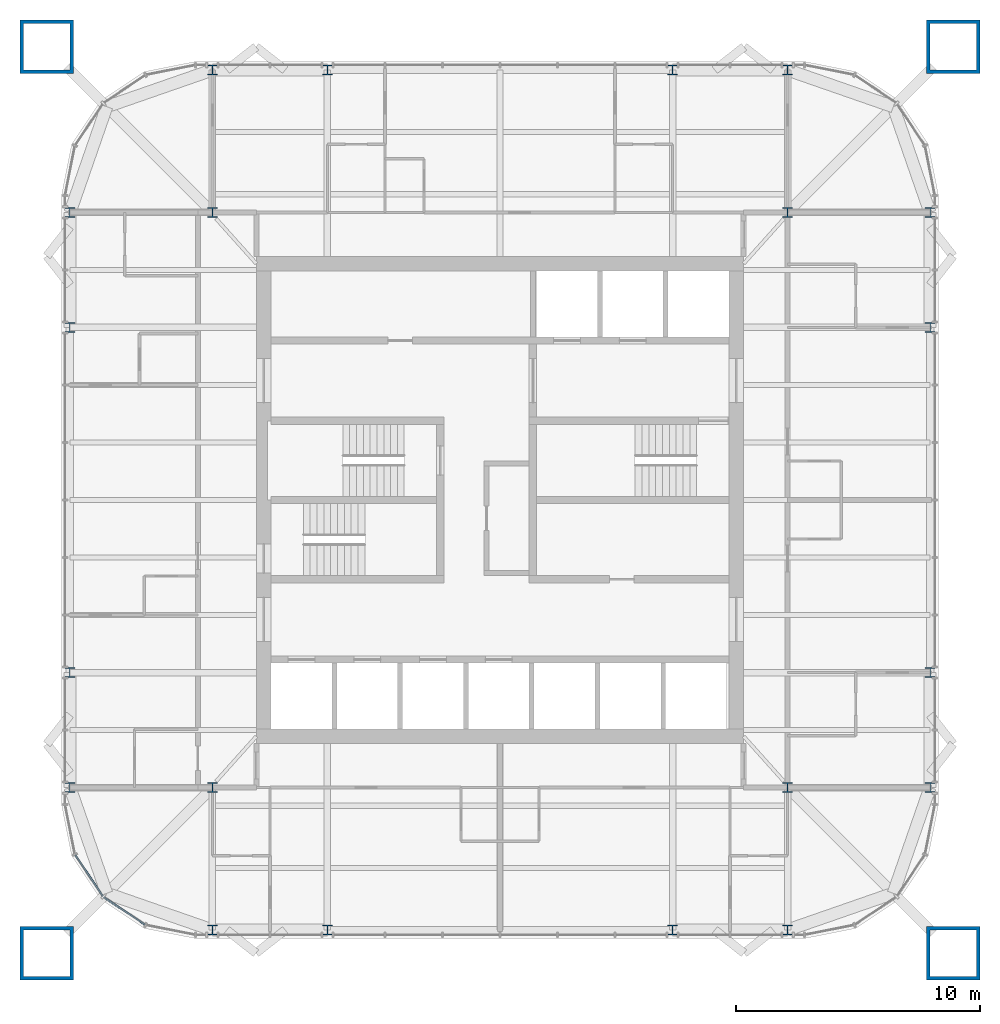
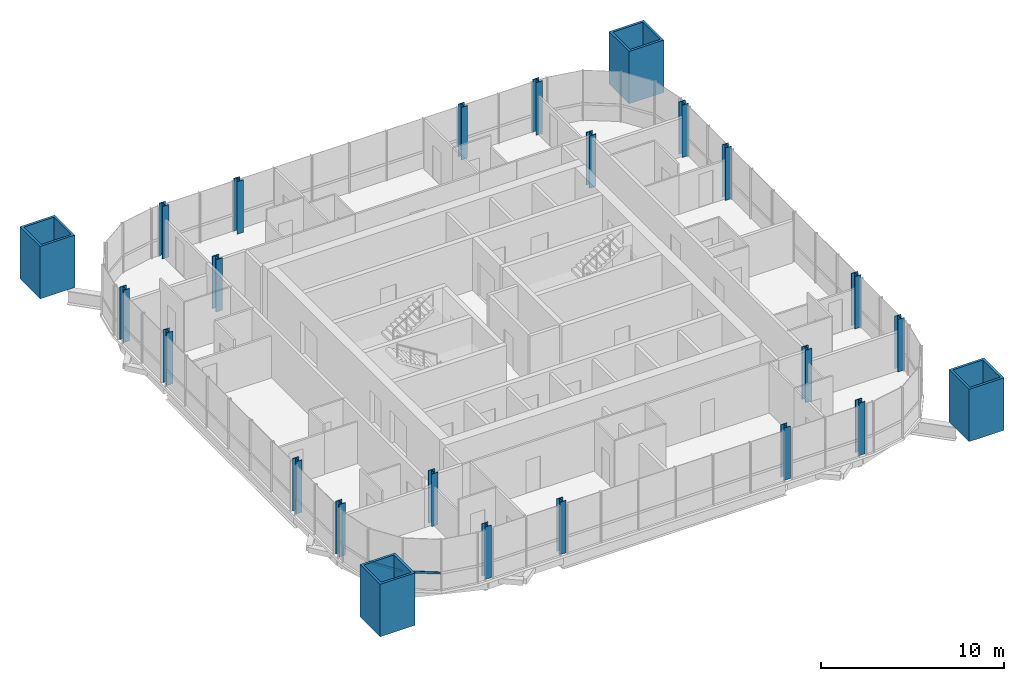
# One storey, part 1 of 17: 24 columns, 2 members, 1 element without a shape of its own.
"""IFC4 building model written with IfcOpenShell, lengths in metres."""

from ifc_helpers import new_model, si_unit, direction, frame, origin, origin_2d, place, context, subcontext, project, spatial, rectangle, hollow_rectangle, i_section, extrude, material, material_profile, profile_set, type_object, element, aggregate, save


model = new_model("IFC4")

# Units and contexts
model_context = context("Model", 3, precision=1e-05, world=origin(), true_north=direction((0.0, 1.0)))
body_context = subcontext(model_context, "Body", "Model", "MODEL_VIEW")
ifc_project = project(units=[si_unit("LENGTHUNIT", "METRE"), si_unit("AREAUNIT", "SQUARE_METRE"), si_unit("VOLUMEUNIT", "CUBIC_METRE"), si_unit("PLANEANGLEUNIT", "RADIAN"), si_unit("MASSUNIT", "GRAM", prefix="KILO")], contexts=[model_context])

# Site, building, storey
site_placement = place(None, origin())
site = spatial("IfcSite", under=ifc_project, at=site_placement, CompositionType="ELEMENT")
building_placement = place(site_placement, origin())
building = spatial("IfcBuilding", under=site, at=building_placement, Name="Turquesa Mirador Hotel Tower", CompositionType="ELEMENT")
storey_placement = place(building_placement, frame((0.0, 0.0, 237.199951171875)))
storey = spatial("IfcBuildingStorey", under=building, at=storey_placement, Name="L64", CompositionType="ELEMENT", Elevation=237.199951171875)

# Columns
ifc_material_1 = material(Name="Steel ASTM A992 Grade 50", Category="steel")
ifc_material_profile_1 = material_profile(ifc_material_1, i_section(OverallWidth=0.398681640625, OverallDepth=0.393798828125, WebThickness=0.022705078125, FlangeThickness=0.03662109375, at=origin_2d()), Name="W14X193")
ifc_profile_set_1 = profile_set([ifc_material_profile_1], Name="Steel ASTM A992 Grade 50")
column_type_1 = type_object("IfcColumnType", Name="COLUMN W14X193", PredefinedType="COLUMN", material=ifc_profile_set_1)
for number, where, z_axis, x_axis, name in (
    (1, (37.35009765625, 33.199951171875, 0.0), (0.0, 0.0, 1.0), (1.0, 0.0, 0.0), "COL-L64-P--17.65--11.80"),
    (2, (37.35009765625, 37.919921875, 0.0), (0.0, 0.0, 1.0), (1.0, 0.0, 0.0), "COL-L64-P--17.65--7.08"),
    (3, (37.35009765625, 52.080078125, 0.0), (0.0, 0.0, 1.0), (1.0, 0.0, 0.0), "COL-L64-P--17.65-+7.08"),
    (4, (37.35009765625, 56.800048828125, 0.0), (0.0, 0.0, 1.0), (1.0, 0.0, 0.0), "COL-L64-P--17.65-+11.80"),
    (5, (43.199951171875, 27.35009765625, 0.0), (0.0, 0.0, 1.0), (1.0, 0.0, 0.0), "COL-L64-P--11.80--17.65"),
    (6, (43.199951171875, 62.64990234375, 0.0), (0.0, 0.0, 1.0), (1.0, 0.0, 0.0), "COL-L64-P--11.80-+17.65"),
    (7, (47.919921875, 27.35009765625, 0.0), (0.0, 0.0, 1.0), (1.0, 0.0, 0.0), "COL-L64-P--7.08--17.65"),
    (8, (47.919921875, 62.64990234375, 0.0), (0.0, 0.0, 1.0), (1.0, 0.0, 0.0), "COL-L64-P--7.08-+17.65"),
    (9, (62.080078125, 27.35009765625, 0.0), (0.0, 0.0, 1.0), (1.0, 0.0, 0.0), "COL-L64-P-+7.08--17.65"),
    (10, (62.080078125, 62.64990234375, 0.0), (0.0, 0.0, 1.0), (1.0, 0.0, 0.0), "COL-L64-P-+7.08-+17.65"),
    (11, (66.800048828125, 27.35009765625, 0.0), (0.0, 0.0, 1.0), (1.0, 0.0, 0.0), "COL-L64-P-+11.80--17.65"),
    (12, (66.800048828125, 62.64990234375, 0.0), (0.0, 0.0, 1.0), (1.0, 0.0, 0.0), "COL-L64-P-+11.80-+17.65"),
    (13, (72.64990234375, 33.199951171875, 0.0), (0.0, 0.0, 1.0), (1.0, 0.0, 0.0), "COL-L64-P-+17.65--11.80"),
    (14, (72.64990234375, 37.919921875, 0.0), (0.0, 0.0, 1.0), (1.0, 0.0, 0.0), "COL-L64-P-+17.65--7.08"),
    (15, (72.64990234375, 52.080078125, 0.0), (0.0, 0.0, 1.0), (1.0, 0.0, 0.0), "COL-L64-P-+17.65-+7.08"),
    (16, (72.64990234375, 56.800048828125, 0.0), (0.0, 0.0, 1.0), (1.0, 0.0, 0.0), "COL-L64-P-+17.65-+11.80"),
):
    element("IfcColumn", number, at=place(storey_placement, frame(where, z_axis=z_axis, x_axis=x_axis)), inside=storey, type_object=column_type_1, Name=name, PredefinedType="COLUMN", context=body_context, shape_type="SweptSolid", body=[
        extrude(i_section(OverallWidth=0.398681640625, OverallDepth=0.393798828125, WebThickness=0.022705078125, FlangeThickness=0.03662109375, at=origin_2d()), origin(), (0.0, 0.0, 1.0), 3.5),
    ])
ifc_material_2 = material(Name="Steel ASTM A992 Grade 50", Category="steel")
ifc_material_profile_2 = material_profile(ifc_material_2, i_section(OverallWidth=0.406494140625, OverallDepth=0.41650390625, WebThickness=0.030029296875, FlangeThickness=0.048095703125, at=origin_2d()), Name="W14X257")
ifc_profile_set_2 = profile_set([ifc_material_profile_2], Name="Steel ASTM A992 Grade 50")
column_type_2 = type_object("IfcColumnType", Name="COLUMN W14X257", PredefinedType="COLUMN", material=ifc_profile_set_2)
for number, where, z_axis, x_axis, name in (
    (17, (43.199951171875, 33.199951171875, 0.0), (0.0, 0.0, 1.0), (1.0, 0.0, 0.0), "COL-L64-K--11.80--11.80"),
    (18, (43.199951171875, 56.800048828125, 0.0), (0.0, 0.0, 1.0), (1.0, 0.0, 0.0), "COL-L64-K--11.80-+11.80"),
    (19, (66.800048828125, 33.199951171875, 0.0), (0.0, 0.0, 1.0), (1.0, 0.0, 0.0), "COL-L64-K-+11.80--11.80"),
    (20, (66.800048828125, 56.800048828125, 0.0), (0.0, 0.0, 1.0), (1.0, 0.0, 0.0), "COL-L64-K-+11.80-+11.80"),
):
    element("IfcColumn", number, at=place(storey_placement, frame(where, z_axis=z_axis, x_axis=x_axis)), inside=storey, type_object=column_type_2, Name=name, PredefinedType="COLUMN", context=body_context, shape_type="SweptSolid", body=[
        extrude(i_section(OverallWidth=0.406494140625, OverallDepth=0.41650390625, WebThickness=0.030029296875, FlangeThickness=0.048095703125, at=origin_2d()), origin(), (0.0, 0.0, 1.0), 3.5),
    ])
ifc_material_3 = material(Name="Steel ASTM A514 Grade Q", Category="steel")
ifc_material_profile_3 = material_profile(ifc_material_3, hollow_rectangle(XDim=2.199951171875, YDim=2.199951171875, WallThickness=0.14990234375, at=origin_2d()), Name="BOX2200X2200X150")
ifc_profile_set_3 = profile_set([ifc_material_profile_3], Name="Steel ASTM A514 Grade Q")
column_type_3 = type_object("IfcColumnType", Name="MEGA COLUMN BOX2200X2200X150", PredefinedType="COLUMN", material=ifc_profile_set_3)
for number, where, z_axis, x_axis, name in (
    (21, (73.60009765625, 63.60009765625, 0.0), (0.0, 0.0, 1.0), (1.0, 0.0, 0.0), "Mega column M1"),
    (22, (36.39990234375, 63.60009765625, 0.0), (0.0, 0.0, 1.0), (1.0, 0.0, 0.0), "Mega column M2"),
    (23, (36.39990234375, 26.39990234375, 0.0), (0.0, 0.0, 1.0), (1.0, 0.0, 0.0), "Mega column M3"),
    (24, (73.60009765625, 26.39990234375, 0.0), (0.0, 0.0, 1.0), (1.0, 0.0, 0.0), "Mega column M4"),
):
    element("IfcColumn", number, at=place(storey_placement, frame(where, z_axis=z_axis, x_axis=x_axis)), inside=storey, type_object=column_type_3, Name=name, PredefinedType="COLUMN", context=body_context, shape_type="SweptSolid", body=[
        extrude(hollow_rectangle(XDim=2.199951171875, YDim=2.199951171875, WallThickness=0.14990234375, at=origin_2d()), origin(), (0.0, 0.0, 1.0), 3.5),
    ])

# Curtain wall, members
ifc_material_4 = material(Name="Aluminium extrusion", Category="aluminium")
curtain_wall_type = type_object("IfcCurtainWallType", Name="CW-4 SUITE FRITTED CURTAIN WALL", PredefinedType="USERDEFINED", material=ifc_material_4)
curtain_wall_placement = place(storey_placement, origin())
curtain_wall = element("IfcCurtainWall", 25, at=curtain_wall_placement, inside=storey, type_object=curtain_wall_type, Name="CW-4 SUITE FRITTED CURTAIN WALL L64", ObjectType="CURTAIN WALL", PredefinedType="USERDEFINED")
ifc_material_5 = material(Name="Aluminium extrusion", Category="aluminium")
ifc_material_profile_4 = material_profile(ifc_material_5, rectangle(XDim=0.06494140625, YDim=0.14990234375, at=origin_2d()), Name="TRANSOM 65X150")
ifc_profile_set_4 = profile_set([ifc_material_profile_4], Name="Aluminium extrusion")
member_type = type_object("IfcMemberType", Name="CW TRANSOM 65X150", PredefinedType="USERDEFINED", material=ifc_profile_set_4)
member_1_placement = place(storey_placement, frame((37.5751953125, 30.425537109375, 1.10009765625), z_axis=(0.555619095835, -0.831436961136, 0.0), x_axis=(0.831436961136, 0.555619095835, 0.0)))
member_1 = element("IfcMember", 26, at=member_1_placement, type_object=member_type, Name="Transom", ObjectType="TRANSOM", PredefinedType="USERDEFINED", context=body_context, shape_type="SweptSolid", body=[
    extrude(rectangle(XDim=0.06494140625, YDim=0.14990234375, at=origin_2d()), origin(), (0.0, 0.0, 1.0), 2.0224609375),
])
member_2_placement = place(storey_placement, frame((38.743896484375, 28.698974609375, 1.10009765625), z_axis=(0.831436961136, -0.555619095835, 0.0), x_axis=(0.555619095835, 0.831436961136, 0.0)))
member_2 = element("IfcMember", 27, at=member_2_placement, type_object=member_type, Name="Transom", ObjectType="TRANSOM", PredefinedType="USERDEFINED", context=body_context, shape_type="SweptSolid", body=[
    extrude(rectangle(XDim=0.06494140625, YDim=0.14990234375, at=origin_2d()), origin(), (0.0, 0.0, 1.0), 2.0224609375),
])
aggregate(curtain_wall, [member_1, member_2])

save(model, "model.ifc")
